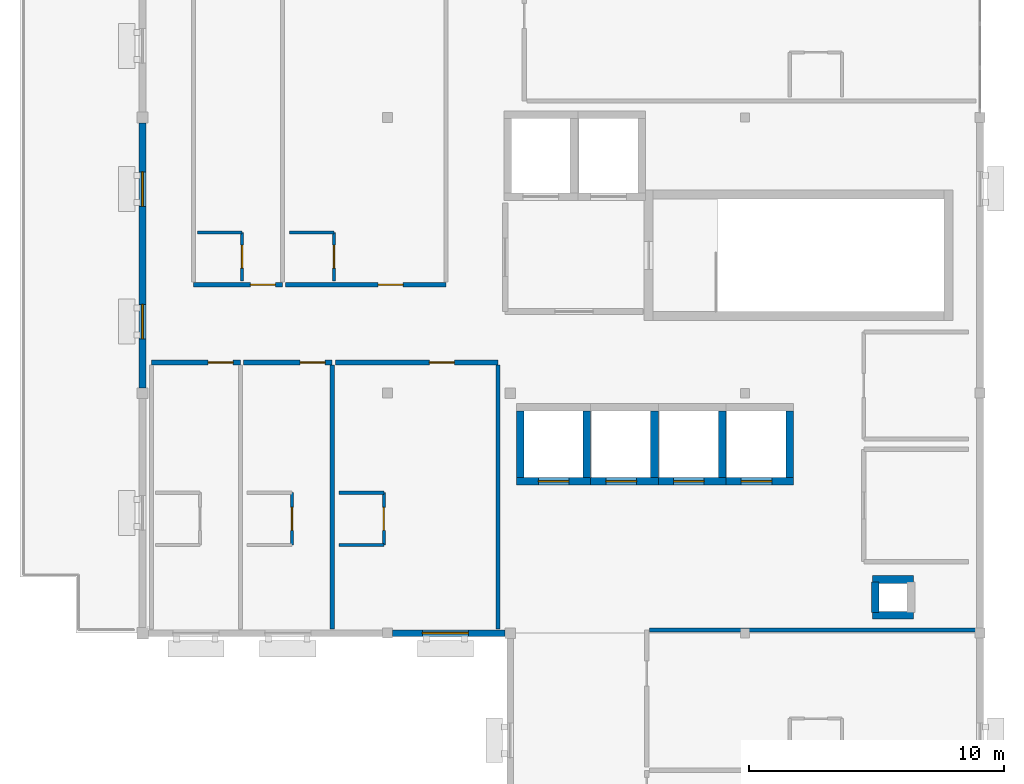
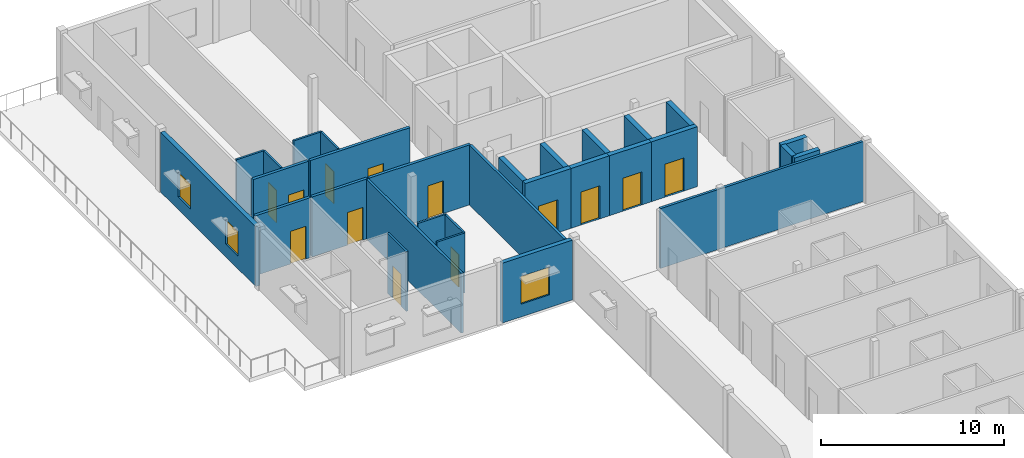
# One storey, part 6 of 9: 30 walls, 13 doors, 3 windows, 16 openings.
"""IFC4 building model written with IfcOpenShell, lengths in metres."""

from ifc_helpers import new_model, si_unit, direction, frame, frame_2d, origin, place, context, subcontext, project, spatial, rectangle, extrude, material, layer, layer_set, type_object, element, fill, save


model = new_model("IFC4")

# Units and contexts
model_context = context("Model", 3, precision=1e-05, world=origin(), true_north=direction((0.0, 1.0)))
body_context = subcontext(model_context, "Body", "Model", "MODEL_VIEW")
ifc_project = project(units=[si_unit("LENGTHUNIT", "METRE"), si_unit("AREAUNIT", "SQUARE_METRE"), si_unit("VOLUMEUNIT", "CUBIC_METRE"), si_unit("PLANEANGLEUNIT", "RADIAN"), si_unit("MASSUNIT", "GRAM", prefix="KILO")], contexts=[model_context])

# Site, building, storey
site_placement = place(None, origin())
site = spatial("IfcSite", under=ifc_project, at=site_placement, CompositionType="ELEMENT")
building_placement = place(site_placement, origin())
building = spatial("IfcBuilding", under=site, at=building_placement, Name="Veldera Park Congress Hotel", CompositionType="ELEMENT")
storey_placement = place(building_placement, frame((0.0, 0.0, 46.60009765625)))
storey = spatial("IfcBuildingStorey", under=building, at=storey_placement, Name="L11", CompositionType="ELEMENT", Elevation=46.60009765625)

# Wall, openings, windows
ifc_material_1 = material(Name="Cross-laminated timber CLT V2M1.1", Category="wood")
ifc_layer_1 = layer(ifc_material_1, 0.264892578125)
ifc_layer_set_1 = layer_set([ifc_layer_1], Name="Cross-laminated timber CLT V2M1.1")
wall_type_1 = type_object("IfcWallType", Name="EW-CLT265", PredefinedType="STANDARD", material=ifc_layer_set_1)
wall_1_placement = place(storey_placement, frame((51.199951171875, 46.991943359375, 0.0), z_axis=(0.0, 0.0, 1.0), x_axis=(0.0, -1.0, 0.0)))
wall_1 = element("IfcWall", 1, at=wall_1_placement, inside=storey, type_object=wall_type_1, Name="L11 Exterior Wall EW3-L11-0462", PredefinedType="STANDARD", context=body_context, shape_type="SweptSolid", body=[
    extrude(rectangle(XDim=10.384033203125, YDim=0.264892578125, at=frame_2d((5.19189453125, 0.0))), origin(), (0.0, 0.0, 1.0), 3.989990234375),
])
opening_1_placement = place(wall_1_placement, frame((1.9208984375, 0.0, 0.85009765625)))
opening_1 = element("IfcOpeningElement", 2, at=opening_1_placement, cuts=wall_1, Name="Opening WIN-1350", PredefinedType="OPENING", context=body_context, shape_type="SweptSolid", body=[
    extrude(rectangle(XDim=1.35009765625, YDim=1.64990234375, at=frame_2d((0.675048828125, 0.824951171875))), frame((0.0, 0.14453125, 0.0), z_axis=(0.0, -1.0, 0.0), x_axis=(1.0, 0.0, 0.0)), (0.0, 0.0, 1.0), 0.288818359375),
])
opening_2_placement = place(wall_1_placement, frame((7.113037109375, 0.0, 0.85009765625)))
opening_2 = element("IfcOpeningElement", 3, at=opening_2_placement, cuts=wall_1, Name="Opening WIN-1350", PredefinedType="OPENING", context=body_context, shape_type="SweptSolid", body=[
    extrude(rectangle(XDim=1.35009765625, YDim=1.64990234375, at=frame_2d((0.675048828125, 0.824951171875))), frame((0.0, 0.14453125, 0.0), z_axis=(0.0, -1.0, 0.0), x_axis=(1.0, 0.0, 0.0)), (0.0, 0.0, 1.0), 0.288818359375),
])
ifc_material_2 = material(Name="Low-E Triple Insulating Glass Unit (SHGC 0.22)", Category="glass")
window_type_1 = type_object("IfcWindowType", Name="WIN-1350", PartitioningType="SINGLE_PANEL", PredefinedType="WINDOW", material=ifc_material_2)
window_1_placement = place(opening_1_placement, origin())
window_1 = element("IfcWindow", 4, at=window_1_placement, inside=storey, type_object=window_type_1, Name="L11 Window WIN-1350 351", OverallHeight=1.64990234375, OverallWidth=1.35009765625, PartitioningType="SINGLE_PANEL", PredefinedType="WINDOW", context=body_context, shape_type="SweptSolid", body=[
    extrude(rectangle(XDim=1.35009765625, YDim=1.64990234375, at=frame_2d((0.675048828125, 0.824951171875))), frame((0.0, 0.030029296875, 0.0), z_axis=(0.0, -1.0, 0.0), x_axis=(1.0, 0.0, 0.0)), (0.0, 0.0, 1.0), 0.06005859375),
])
fill(opening_1, window_1)
window_2_placement = place(opening_2_placement, origin())
window_2 = element("IfcWindow", 5, at=window_2_placement, inside=storey, type_object=window_type_1, Name="L11 Window WIN-1350 352", OverallHeight=1.64990234375, OverallWidth=1.35009765625, PartitioningType="SINGLE_PANEL", PredefinedType="WINDOW", context=body_context, shape_type="SweptSolid", body=[
    extrude(rectangle(XDim=1.35009765625, YDim=1.64990234375, at=frame_2d((0.675048828125, 0.824951171875))), frame((0.0, 0.030029296875, 0.0), z_axis=(0.0, -1.0, 0.0), x_axis=(1.0, 0.0, 0.0)), (0.0, 0.0, 1.0), 0.06005859375),
])
fill(opening_2, window_2)

# Wall, opening, window
wall_2_placement = place(storey_placement, frame((60.992919921875, 27.0, 0.0), z_axis=(0.0, 0.0, 1.0), x_axis=(1.0, 0.0, 0.0)))
wall_2 = element("IfcWall", 6, at=wall_2_placement, inside=storey, type_object=wall_type_1, Name="L11 Exterior Wall EW3-L11-0465", PredefinedType="STANDARD", context=body_context, shape_type="SweptSolid", body=[
    extrude(rectangle(XDim=4.399169921875, YDim=0.264892578125, at=frame_2d((2.19970703125, 0.0))), origin(), (0.0, 0.0, 1.0), 3.989990234375),
])
opening_3_placement = place(wall_2_placement, frame((1.16845703125, 0.0, 0.85009765625)))
opening_3 = element("IfcOpeningElement", 7, at=opening_3_placement, cuts=wall_2, Name="Opening WIN-1800", PredefinedType="OPENING", context=body_context, shape_type="SweptSolid", body=[
    extrude(rectangle(XDim=1.800048828125, YDim=1.85009765625, at=frame_2d((0.89990234375, 0.925048828125))), frame((0.0, 0.14453125, 0.0), z_axis=(0.0, -1.0, 0.0), x_axis=(1.0, 0.0, 0.0)), (0.0, 0.0, 1.0), 0.288818359375),
])
window_type_2 = type_object("IfcWindowType", Name="WIN-1800", PartitioningType="SINGLE_PANEL", PredefinedType="WINDOW", material=ifc_material_2)
window_3_placement = place(opening_3_placement, origin())
window_3 = element("IfcWindow", 8, at=window_3_placement, inside=storey, type_object=window_type_2, Name="L11 Window WIN-1800 604", OverallHeight=1.85009765625, OverallWidth=1.800048828125, PartitioningType="SINGLE_PANEL", PredefinedType="WINDOW", context=body_context, shape_type="SweptSolid", body=[
    extrude(rectangle(XDim=1.800048828125, YDim=1.85009765625, at=frame_2d((0.89990234375, 0.925048828125))), frame((0.0, 0.030029296875, 0.0), z_axis=(0.0, -1.0, 0.0), x_axis=(1.0, 0.0, 0.0)), (0.0, 0.0, 1.0), 0.06005859375),
])
fill(opening_3, window_3)

# Wall, opening, door
ifc_material_3 = material(Name="Fire-Rated Gypsum Board on Cold-Formed Steel Studs", Category="steel")
ifc_layer_2 = layer(ifc_material_3, 0.1201171875)
ifc_layer_set_2 = layer_set([ifc_layer_2], Name="Fire-Rated Gypsum Board on Cold-Formed Steel Studs")
wall_type_2 = type_object("IfcWallType", Name="IW-BATH120", PredefinedType="PARTITIONING", material=ifc_layer_set_2)
wall_3_placement = place(storey_placement, frame((57.050048828125, 30.449951171875, 0.0), z_axis=(0.0, 0.0, 1.0), x_axis=(0.0, 1.0, 0.0)))
wall_3 = element("IfcWall", 9, at=wall_3_placement, inside=storey, type_object=wall_type_2, Name="L11 Partition Wall IW3-L11-01845", PredefinedType="PARTITIONING", context=body_context, shape_type="SweptSolid", body=[
    extrude(rectangle(XDim=2.050048828125, YDim=0.1201171875, at=frame_2d((1.02490234375, 0.0))), origin(), (0.0, 0.0, 1.0), 3.989990234375),
])
opening_4_placement = place(wall_3_placement, frame((0.574951171875, 0.0, 0.0)))
opening_4 = element("IfcOpeningElement", 10, at=opening_4_placement, cuts=wall_3, Name="Opening ID-BATH090", PredefinedType="OPENING", context=body_context, shape_type="SweptSolid", body=[
    extrude(rectangle(XDim=0.89990234375, YDim=2.14990234375, at=frame_2d((0.449951171875, 1.074951171875))), frame((0.0, 0.072021484375, 0.0), z_axis=(0.0, -1.0, 0.0), x_axis=(1.0, 0.0, 0.0)), (0.0, 0.0, 1.0), 0.14404296875),
])
ifc_material_4 = material(Name="Solid Core White Oak Architectural Door", Category="wood")
door_type_1 = type_object("IfcDoorType", Name="ID-BATH090", OperationType="NOTDEFINED", PredefinedType="DOOR", material=ifc_material_4)
door_1_placement = place(opening_4_placement, origin())
door_1 = element("IfcDoor", 11, at=door_1_placement, inside=storey, type_object=door_type_1, Name="L11 En-suite 308 Door ID3-L11-0755 (DR3-ID3-L11-0755)", OperationType="SINGLE_SWING_LEFT", OverallHeight=2.14990234375, OverallWidth=0.89990234375, PredefinedType="DOOR", context=body_context, shape_type="SweptSolid", body=[
    extrude(rectangle(XDim=0.89990234375, YDim=2.14990234375, at=frame_2d((0.449951171875, 1.074951171875))), frame((0.0, 0.02490234375, 0.0), z_axis=(0.0, -1.0, 0.0), x_axis=(1.0, 0.0, 0.0)), (0.0, 0.0, 1.0), 0.050048828125),
])
fill(opening_4, door_1)

# Wall
wall_4_placement = place(storey_placement, frame((58.89990234375, 32.5, 0.0), z_axis=(0.0, 0.0, 1.0), x_axis=(1.0, 0.0, 0.0)))
element("IfcWall", 12, at=wall_4_placement, inside=storey, type_object=wall_type_2, Name="L11 Partition Wall IW3-L11-01849", PredefinedType="PARTITIONING", context=body_context, shape_type="SweptSolid", body=[
    extrude(rectangle(XDim=1.75, YDim=0.1201171875, at=frame_2d((0.875, 0.0))), origin(), (0.0, 0.0, 1.0), 3.989990234375),
])

# Wall, opening, door
wall_5_placement = place(storey_placement, frame((60.64990234375, 30.449951171875, 0.0), z_axis=(0.0, 0.0, 1.0), x_axis=(0.0, 1.0, 0.0)))
wall_5 = element("IfcWall", 13, at=wall_5_placement, inside=storey, type_object=wall_type_2, Name="L11 Partition Wall IW3-L11-01850", PredefinedType="PARTITIONING", context=body_context, shape_type="SweptSolid", body=[
    extrude(rectangle(XDim=2.050048828125, YDim=0.1201171875, at=frame_2d((1.02490234375, 0.0))), origin(), (0.0, 0.0, 1.0), 3.989990234375),
])
opening_5_placement = place(wall_5_placement, frame((0.574951171875, 0.0, 0.0)))
opening_5 = element("IfcOpeningElement", 14, at=opening_5_placement, cuts=wall_5, Name="Opening ID-BATH090", PredefinedType="OPENING", context=body_context, shape_type="SweptSolid", body=[
    extrude(rectangle(XDim=0.89990234375, YDim=2.14990234375, at=frame_2d((0.449951171875, 1.074951171875))), frame((0.0, 0.072021484375, 0.0), z_axis=(0.0, -1.0, 0.0), x_axis=(1.0, 0.0, 0.0)), (0.0, 0.0, 1.0), 0.14404296875),
])
door_2_placement = place(opening_5_placement, origin())
door_2 = element("IfcDoor", 15, at=door_2_placement, inside=storey, type_object=door_type_1, Name="L11 En-suite 309 Door ID3-L11-0757 (DR3-ID3-L11-0757)", OperationType="SINGLE_SWING_LEFT", OverallHeight=2.14990234375, OverallWidth=0.89990234375, PredefinedType="DOOR", context=body_context, shape_type="SweptSolid", body=[
    extrude(rectangle(XDim=0.89990234375, YDim=2.14990234375, at=frame_2d((0.449951171875, 1.074951171875))), frame((0.0, 0.02490234375, 0.0), z_axis=(0.0, -1.0, 0.0), x_axis=(1.0, 0.0, 0.0)), (0.0, 0.0, 1.0), 0.050048828125),
])
fill(opening_5, door_2)

# Wall
wall_6_placement = place(storey_placement, frame((58.89990234375, 30.449951171875, 0.0), z_axis=(0.0, 0.0, 1.0), x_axis=(1.0, 0.0, 0.0)))
element("IfcWall", 16, at=wall_6_placement, inside=storey, type_object=wall_type_2, Name="L11 Partition Wall IW3-L11-01851", PredefinedType="PARTITIONING", context=body_context, shape_type="SweptSolid", body=[
    extrude(rectangle(XDim=1.75, YDim=0.1201171875, at=frame_2d((0.875, 0.0))), origin(), (0.0, 0.0, 1.0), 3.989990234375),
])

# Wall, opening, door
wall_7_placement = place(storey_placement, frame((55.10009765625, 40.800048828125, 0.0), z_axis=(0.0, 0.0, 1.0), x_axis=(0.0, 1.0, 0.0)))
wall_7 = element("IfcWall", 17, at=wall_7_placement, inside=storey, type_object=wall_type_2, Name="L11 Partition Wall IW3-L11-01866", PredefinedType="PARTITIONING", context=body_context, shape_type="SweptSolid", body=[
    extrude(rectangle(XDim=1.89990234375, YDim=0.1201171875, at=frame_2d((0.949951171875, 0.0))), origin(), (0.0, 0.0, 1.0), 3.989990234375),
])
opening_6_placement = place(wall_7_placement, frame((0.5, 0.0, 0.0)))
opening_6 = element("IfcOpeningElement", 18, at=opening_6_placement, cuts=wall_7, Name="Opening ID-BATH090", PredefinedType="OPENING", context=body_context, shape_type="SweptSolid", body=[
    extrude(rectangle(XDim=0.89990234375, YDim=2.14990234375, at=frame_2d((0.449951171875, 1.074951171875))), frame((0.0, 0.072021484375, 0.0), z_axis=(0.0, -1.0, 0.0), x_axis=(1.0, 0.0, 0.0)), (0.0, 0.0, 1.0), 0.14404296875),
])
door_3_placement = place(opening_6_placement, origin())
door_3 = element("IfcDoor", 19, at=door_3_placement, inside=storey, type_object=door_type_1, Name="L11 En-suite 312 Door ID3-L11-0763 (DR3-ID3-L11-0763)", OperationType="SINGLE_SWING_LEFT", OverallHeight=2.14990234375, OverallWidth=0.89990234375, PredefinedType="DOOR", context=body_context, shape_type="SweptSolid", body=[
    extrude(rectangle(XDim=0.89990234375, YDim=2.14990234375, at=frame_2d((0.449951171875, 1.074951171875))), frame((0.0, 0.02490234375, 0.0), z_axis=(0.0, -1.0, 0.0), x_axis=(1.0, 0.0, 0.0)), (0.0, 0.0, 1.0), 0.050048828125),
])
fill(opening_6, door_3)

# Wall
wall_8_placement = place(storey_placement, frame((53.35009765625, 42.699951171875, 0.0), z_axis=(0.0, 0.0, 1.0), x_axis=(1.0, 0.0, 0.0)))
element("IfcWall", 20, at=wall_8_placement, inside=storey, type_object=wall_type_2, Name="L11 Partition Wall IW3-L11-01867", PredefinedType="PARTITIONING", context=body_context, shape_type="SweptSolid", body=[
    extrude(rectangle(XDim=1.75, YDim=0.1201171875, at=frame_2d((0.875, 0.0))), origin(), (0.0, 0.0, 1.0), 3.989990234375),
])

# Wall, opening, door
wall_9_placement = place(storey_placement, frame((58.699951171875, 40.800048828125, 0.0), z_axis=(0.0, 0.0, 1.0), x_axis=(0.0, 1.0, 0.0)))
wall_9 = element("IfcWall", 21, at=wall_9_placement, inside=storey, type_object=wall_type_2, Name="L11 Partition Wall IW3-L11-01870", PredefinedType="PARTITIONING", context=body_context, shape_type="SweptSolid", body=[
    extrude(rectangle(XDim=1.89990234375, YDim=0.1201171875, at=frame_2d((0.949951171875, 0.0))), origin(), (0.0, 0.0, 1.0), 3.989990234375),
])
opening_7_placement = place(wall_9_placement, frame((0.5, 0.0, 0.0)))
opening_7 = element("IfcOpeningElement", 22, at=opening_7_placement, cuts=wall_9, Name="Opening ID-BATH090", PredefinedType="OPENING", context=body_context, shape_type="SweptSolid", body=[
    extrude(rectangle(XDim=0.89990234375, YDim=2.14990234375, at=frame_2d((0.449951171875, 1.074951171875))), frame((0.0, 0.072021484375, 0.0), z_axis=(0.0, -1.0, 0.0), x_axis=(1.0, 0.0, 0.0)), (0.0, 0.0, 1.0), 0.14404296875),
])
door_4_placement = place(opening_7_placement, origin())
door_4 = element("IfcDoor", 23, at=door_4_placement, inside=storey, type_object=door_type_1, Name="L11 En-suite 313 Door ID3-L11-0765 (DR3-ID3-L11-0765)", OperationType="SINGLE_SWING_LEFT", OverallHeight=2.14990234375, OverallWidth=0.89990234375, PredefinedType="DOOR", context=body_context, shape_type="SweptSolid", body=[
    extrude(rectangle(XDim=0.89990234375, YDim=2.14990234375, at=frame_2d((0.449951171875, 1.074951171875))), frame((0.0, 0.02490234375, 0.0), z_axis=(0.0, -1.0, 0.0), x_axis=(1.0, 0.0, 0.0)), (0.0, 0.0, 1.0), 0.050048828125),
])
fill(opening_7, door_4)

# Wall
wall_10_placement = place(storey_placement, frame((56.949951171875, 42.699951171875, 0.0), z_axis=(0.0, 0.0, 1.0), x_axis=(1.0, 0.0, 0.0)))
element("IfcWall", 24, at=wall_10_placement, inside=storey, type_object=wall_type_2, Name="L11 Partition Wall IW3-L11-01871", PredefinedType="PARTITIONING", context=body_context, shape_type="SweptSolid", body=[
    extrude(rectangle(XDim=1.75, YDim=0.1201171875, at=frame_2d((0.875, 0.0))), origin(), (0.0, 0.0, 1.0), 3.989990234375),
])

# Wall, opening, door
ifc_layer_3 = layer(ifc_material_3, 0.179931640625)
ifc_layer_set_3 = layer_set([ifc_layer_3], Name="Fire-Rated Gypsum Board on Cold-Formed Steel Studs")
wall_type_3 = type_object("IfcWallType", Name="IW-CORR180", PredefinedType="PARTITIONING", material=ifc_layer_set_3)
wall_11_placement = place(storey_placement, frame((55.030029296875, 37.60009765625, 0.0), z_axis=(0.0, 0.0, 1.0), x_axis=(-1.0, 0.0, 0.0)))
wall_11 = element("IfcWall", 25, at=wall_11_placement, inside=storey, type_object=wall_type_3, Name="L11 Corridor Wall IW3-L11-01836", PredefinedType="PARTITIONING", context=body_context, shape_type="SweptSolid", body=[
    extrude(rectangle(XDim=3.47998046875, YDim=0.179931640625, at=frame_2d((1.739990234375, 0.0))), origin(), (0.0, 0.0, 1.0), 3.989990234375),
])
opening_8_placement = place(wall_11_placement, frame((0.280029296875, 0.0, 0.0)))
opening_8 = element("IfcOpeningElement", 26, at=opening_8_placement, cuts=wall_11, Name="Opening ID-UNIT098", PredefinedType="OPENING", context=body_context, shape_type="SweptSolid", body=[
    extrude(rectangle(XDim=0.97998046875, YDim=2.179931640625, at=frame_2d((0.489990234375, 1.08984375))), frame((0.0, 0.10205078125, 0.0), z_axis=(0.0, -1.0, 0.0), x_axis=(1.0, 0.0, 0.0)), (0.0, 0.0, 1.0), 0.203857421875),
])
door_type_2 = type_object("IfcDoorType", Name="ID-UNIT098", OperationType="NOTDEFINED", PredefinedType="DOOR", material=ifc_material_4)
door_5_placement = place(opening_8_placement, frame((0.97998046875, 0.0, 0.0), z_axis=(0.0, 0.0, 1.0), x_axis=(-1.0, 0.0, 0.0)))
door_5 = element("IfcDoor", 27, at=door_5_placement, inside=storey, type_object=door_type_2, Name="L11 Guestroom 307 Entry Door (DR3-UD3-L11-307)", OperationType="SINGLE_SWING_RIGHT", OverallHeight=2.179931640625, OverallWidth=0.97998046875, PredefinedType="DOOR", context=body_context, shape_type="SweptSolid", body=[
    extrude(rectangle(XDim=0.97998046875, YDim=2.179931640625, at=frame_2d((0.489990234375, 1.08984375))), frame((0.0, 0.02490234375, 0.0), z_axis=(0.0, -1.0, 0.0), x_axis=(1.0, 0.0, 0.0)), (0.0, 0.0, 1.0), 0.050048828125),
])
fill(opening_8, door_5)

wall_12_placement = place(storey_placement, frame((58.6298828125, 37.60009765625, 0.0), z_axis=(0.0, 0.0, 1.0), x_axis=(-1.0, 0.0, 0.0)))
wall_12 = element("IfcWall", 28, at=wall_12_placement, inside=storey, type_object=wall_type_3, Name="L11 Corridor Wall IW3-L11-01842", PredefinedType="PARTITIONING", context=body_context, shape_type="SweptSolid", body=[
    extrude(rectangle(XDim=3.47998046875, YDim=0.179931640625, at=frame_2d((1.739990234375, 0.0))), origin(), (0.0, 0.0, 1.0), 3.989990234375),
])
opening_9_placement = place(wall_12_placement, frame((0.280029296875, 0.0, 0.0)))
opening_9 = element("IfcOpeningElement", 29, at=opening_9_placement, cuts=wall_12, Name="Opening ID-UNIT098", PredefinedType="OPENING", context=body_context, shape_type="SweptSolid", body=[
    extrude(rectangle(XDim=0.97998046875, YDim=2.179931640625, at=frame_2d((0.489990234375, 1.08984375))), frame((0.0, 0.10205078125, 0.0), z_axis=(0.0, -1.0, 0.0), x_axis=(1.0, 0.0, 0.0)), (0.0, 0.0, 1.0), 0.203857421875),
])
door_6_placement = place(opening_9_placement, frame((0.97998046875, 0.0, 0.0), z_axis=(0.0, 0.0, 1.0), x_axis=(-1.0, 0.0, 0.0)))
door_6 = element("IfcDoor", 30, at=door_6_placement, inside=storey, type_object=door_type_2, Name="L11 Guestroom 308 Entry Door (DR3-UD3-L11-308)", OperationType="SINGLE_SWING_RIGHT", OverallHeight=2.179931640625, OverallWidth=0.97998046875, PredefinedType="DOOR", context=body_context, shape_type="SweptSolid", body=[
    extrude(rectangle(XDim=0.97998046875, YDim=2.179931640625, at=frame_2d((0.489990234375, 1.08984375))), frame((0.0, 0.02490234375, 0.0), z_axis=(0.0, -1.0, 0.0), x_axis=(1.0, 0.0, 0.0)), (0.0, 0.0, 1.0), 0.050048828125),
])
fill(opening_9, door_6)

wall_13_placement = place(storey_placement, frame((65.1298828125, 37.60009765625, 0.0), z_axis=(0.0, 0.0, 1.0), x_axis=(-1.0, 0.0, 0.0)))
wall_13 = element("IfcWall", 31, at=wall_13_placement, inside=storey, type_object=wall_type_3, Name="L11 Corridor Wall IW3-L11-01847", PredefinedType="PARTITIONING", context=body_context, shape_type="SweptSolid", body=[
    extrude(rectangle(XDim=6.3798828125, YDim=0.179931640625, at=frame_2d((3.18994140625, 0.0))), origin(), (0.0, 0.0, 1.0), 3.989990234375),
])
opening_10_placement = place(wall_13_placement, frame((1.719970703125, 0.0, 0.0)))
opening_10 = element("IfcOpeningElement", 32, at=opening_10_placement, cuts=wall_13, Name="Opening ID-UNIT098", PredefinedType="OPENING", context=body_context, shape_type="SweptSolid", body=[
    extrude(rectangle(XDim=0.97998046875, YDim=2.179931640625, at=frame_2d((0.489990234375, 1.08984375))), frame((0.0, 0.10205078125, 0.0), z_axis=(0.0, -1.0, 0.0), x_axis=(1.0, 0.0, 0.0)), (0.0, 0.0, 1.0), 0.203857421875),
])
door_7_placement = place(opening_10_placement, frame((0.97998046875, 0.0, 0.0), z_axis=(0.0, 0.0, 1.0), x_axis=(-1.0, 0.0, 0.0)))
door_7 = element("IfcDoor", 33, at=door_7_placement, inside=storey, type_object=door_type_2, Name="L11 Guestroom 309 Entry Door (DR3-UD3-L11-309)", OperationType="SINGLE_SWING_RIGHT", OverallHeight=2.179931640625, OverallWidth=0.97998046875, PredefinedType="DOOR", context=body_context, shape_type="SweptSolid", body=[
    extrude(rectangle(XDim=0.97998046875, YDim=2.179931640625, at=frame_2d((0.489990234375, 1.08984375))), frame((0.0, 0.02490234375, 0.0), z_axis=(0.0, -1.0, 0.0), x_axis=(1.0, 0.0, 0.0)), (0.0, 0.0, 1.0), 0.050048828125),
])
fill(opening_10, door_7)

wall_14_placement = place(storey_placement, frame((53.199951171875, 40.64990234375, 0.0), z_axis=(0.0, 0.0, 1.0), x_axis=(1.0, 0.0, 0.0)))
wall_14 = element("IfcWall", 34, at=wall_14_placement, inside=storey, type_object=wall_type_3, Name="L11 Corridor Wall IW3-L11-01863", PredefinedType="PARTITIONING", context=body_context, shape_type="SweptSolid", body=[
    extrude(rectangle(XDim=3.47998046875, YDim=0.179931640625, at=frame_2d((1.739990234375, 0.0))), origin(), (0.0, 0.0, 1.0), 3.989990234375),
])
opening_11_placement = place(wall_14_placement, frame((2.219970703125, 0.0, 0.0)))
opening_11 = element("IfcOpeningElement", 35, at=opening_11_placement, cuts=wall_14, Name="Opening ID-UNIT098", PredefinedType="OPENING", context=body_context, shape_type="SweptSolid", body=[
    extrude(rectangle(XDim=0.97998046875, YDim=2.179931640625, at=frame_2d((0.489990234375, 1.08984375))), frame((0.0, 0.10205078125, 0.0), z_axis=(0.0, -1.0, 0.0), x_axis=(1.0, 0.0, 0.0)), (0.0, 0.0, 1.0), 0.203857421875),
])
door_8_placement = place(opening_11_placement, frame((0.97998046875, 0.0, 0.0), z_axis=(0.0, 0.0, 1.0), x_axis=(-1.0, 0.0, 0.0)))
door_8 = element("IfcDoor", 36, at=door_8_placement, inside=storey, type_object=door_type_2, Name="L11 Guestroom 312 Entry Door (DR3-UD3-L11-312)", OperationType="SINGLE_SWING_RIGHT", OverallHeight=2.179931640625, OverallWidth=0.97998046875, PredefinedType="DOOR", context=body_context, shape_type="SweptSolid", body=[
    extrude(rectangle(XDim=0.97998046875, YDim=2.179931640625, at=frame_2d((0.489990234375, 1.08984375))), frame((0.0, 0.02490234375, 0.0), z_axis=(0.0, -1.0, 0.0), x_axis=(1.0, 0.0, 0.0)), (0.0, 0.0, 1.0), 0.050048828125),
])
fill(opening_11, door_8)

wall_15_placement = place(storey_placement, frame((56.800048828125, 40.64990234375, 0.0), z_axis=(0.0, 0.0, 1.0), x_axis=(1.0, 0.0, 0.0)))
wall_15 = element("IfcWall", 37, at=wall_15_placement, inside=storey, type_object=wall_type_3, Name="L11 Corridor Wall IW3-L11-01868", PredefinedType="PARTITIONING", context=body_context, shape_type="SweptSolid", body=[
    extrude(rectangle(XDim=6.280029296875, YDim=0.179931640625, at=frame_2d((3.14013671875, 0.0))), origin(), (0.0, 0.0, 1.0), 3.989990234375),
])
opening_12_placement = place(wall_15_placement, frame((3.6298828125, 0.0, 0.0)))
opening_12 = element("IfcOpeningElement", 38, at=opening_12_placement, cuts=wall_15, Name="Opening ID-UNIT098", PredefinedType="OPENING", context=body_context, shape_type="SweptSolid", body=[
    extrude(rectangle(XDim=0.97998046875, YDim=2.179931640625, at=frame_2d((0.489990234375, 1.08984375))), frame((0.0, 0.10205078125, 0.0), z_axis=(0.0, -1.0, 0.0), x_axis=(1.0, 0.0, 0.0)), (0.0, 0.0, 1.0), 0.203857421875),
])
door_9_placement = place(opening_12_placement, frame((0.97998046875, 0.0, 0.0), z_axis=(0.0, 0.0, 1.0), x_axis=(-1.0, 0.0, 0.0)))
door_9 = element("IfcDoor", 39, at=door_9_placement, inside=storey, type_object=door_type_2, Name="L11 Guestroom 313 Entry Door (DR3-UD3-L11-313)", OperationType="SINGLE_SWING_RIGHT", OverallHeight=2.179931640625, OverallWidth=0.97998046875, PredefinedType="DOOR", context=body_context, shape_type="SweptSolid", body=[
    extrude(rectangle(XDim=0.97998046875, YDim=2.179931640625, at=frame_2d((0.489990234375, 1.08984375))), frame((0.0, 0.02490234375, 0.0), z_axis=(0.0, -1.0, 0.0), x_axis=(1.0, 0.0, 0.0)), (0.0, 0.0, 1.0), 0.050048828125),
])
fill(opening_12, door_9)

# Walls
ifc_layer_4 = layer(ifc_material_1, 0.159912109375)
ifc_layer_set_4 = layer_set([ifc_layer_4], Name="Cross-laminated timber CLT V2M1.1")
wall_type_4 = type_object("IfcWallType", Name="IW-UNIT160", PredefinedType="PARTITIONING", material=ifc_layer_set_4)
wall_16_placement = place(storey_placement, frame((71.050048828125, 27.1298828125, 0.0), z_axis=(0.0, 0.0, 1.0), x_axis=(1.0, 0.0, 0.0)))
element("IfcWall", 40, at=wall_16_placement, inside=storey, type_object=wall_type_4, Name="L11 Partition Wall IW3-L11-01832", PredefinedType="PARTITIONING", context=body_context, shape_type="SweptSolid", body=[
    extrude(rectangle(XDim=12.7900390625, YDim=0.159912109375, at=frame_2d((6.39501953125, 0.0))), origin(), (0.0, 0.0, 1.0), 3.989990234375),
])
for number, where, z_axis, x_axis, name in (
    (41, (58.6298828125, 27.159912109375, 0.0), (0.0, 0.0, 1.0), (0.0, 1.0, 0.0), "L11 Partition Wall IW3-L11-01843"),
    (42, (65.1298828125, 27.159912109375, 0.0), (0.0, 0.0, 1.0), (0.0, 1.0, 0.0), "L11 Partition Wall IW3-L11-01848"),
):
    element("IfcWall", number, at=place(storey_placement, frame(where, z_axis=z_axis, x_axis=x_axis)), inside=storey, type_object=wall_type_4, Name=name, PredefinedType="PARTITIONING", context=body_context, shape_type="SweptSolid", body=[
        extrude(rectangle(XDim=10.340087890625, YDim=0.159912109375, at=frame_2d((5.169921875, 0.0))), origin(), (0.0, 0.0, 1.0), 3.989990234375),
    ])
ifc_material_5 = material(Name="Concrete f'c 40 MPa (5,800 psi)", Category="concrete")
ifc_layer_5 = layer(ifc_material_5, 0.300048828125)
ifc_layer_set_5 = layer_set([ifc_layer_5], Name="Concrete f'c 40 MPa (5,800 psi)")
wall_type_5 = type_object("IfcWallType", Name="SW-SHFT300", PredefinedType="SHEAR", material=ifc_layer_set_5)
for number, where, z_axis, x_axis, name in (
    (43, (79.800048828125, 27.699951171875, 0.0), (0.0, 0.0, 1.0), (1.0, 0.0, 0.0), "MEP Riser Shaft Wall L11-S"),
    (44, (81.39990234375, 29.10009765625, 0.0), (0.0, 0.0, 1.0), (-1.0, 0.0, 0.0), "MEP Riser Shaft Wall L11-N"),
):
    element("IfcWall", number, at=place(storey_placement, frame(where, z_axis=z_axis, x_axis=x_axis)), inside=storey, type_object=wall_type_5, Name=name, PredefinedType="SHEAR", context=body_context, shape_type="SweptSolid", body=[
        extrude(rectangle(XDim=1.599853515625, YDim=0.300048828125, at=frame_2d((0.7998046875, 0.0))), origin(), (0.0, 0.0, 1.0), 3.989990234375),
    ])
wall_17_placement = place(storey_placement, frame((79.89990234375, 29.0, 0.0), z_axis=(0.0, 0.0, 1.0), x_axis=(0.0, -1.0, 0.0)))
element("IfcWall", 45, at=wall_17_placement, inside=storey, type_object=wall_type_5, Name="MEP Riser Shaft Wall L11-W", PredefinedType="SHEAR", context=body_context, shape_type="SweptSolid", body=[
    extrude(rectangle(XDim=1.199951171875, YDim=0.300048828125, at=frame_2d((0.60009765625, 0.0))), origin(), (0.0, 0.0, 1.0), 3.989990234375),
])

# Wall, opening, door
wall_18_placement = place(storey_placement, frame((65.85009765625, 32.949951171875, 0.0), z_axis=(0.0, 0.0, 1.0), x_axis=(1.0, 0.0, 0.0)))
wall_18 = element("IfcWall", 46, at=wall_18_placement, inside=storey, type_object=wall_type_5, Name="Lift PL-01 Shaft Wall L11-S", PredefinedType="SHEAR", context=body_context, shape_type="SweptSolid", body=[
    extrude(rectangle(XDim=2.89990234375, YDim=0.300048828125, at=frame_2d((1.449951171875, 0.0))), origin(), (0.0, 0.0, 1.0), 3.989990234375),
])
opening_13_placement = place(wall_18_placement, frame((0.85009765625, 0.0, 0.0)))
opening_13 = element("IfcOpeningElement", 47, at=opening_13_placement, cuts=wall_18, Name="Opening LD-120", PredefinedType="OPENING", context=body_context, shape_type="SweptSolid", body=[
    extrude(rectangle(XDim=1.199951171875, YDim=2.199951171875, at=frame_2d((0.60009765625, 1.10009765625))), frame((0.0, 0.162109375, 0.0), z_axis=(0.0, -1.0, 0.0), x_axis=(1.0, 0.0, 0.0)), (0.0, 0.0, 1.0), 0.323974609375),
])
ifc_material_6 = material(Name="Hollow Metal Fire-Rated Steel Door", Category="steel")
door_type_3 = type_object("IfcDoorType", Name="LD-120", OperationType="DOUBLE_DOOR_SLIDING", PredefinedType="DOOR", material=ifc_material_6)
door_10_placement = place(opening_13_placement, origin())
door_10 = element("IfcDoor", 48, at=door_10_placement, inside=storey, type_object=door_type_3, Name="L11 Lift PL-01 Landing Door (DR3-LD-PL-01-L11)", OperationType="DOUBLE_DOOR_SLIDING", OverallHeight=2.199951171875, OverallWidth=1.199951171875, PredefinedType="DOOR", context=body_context, shape_type="SweptSolid", body=[
    extrude(rectangle(XDim=1.199951171875, YDim=2.199951171875, at=frame_2d((0.60009765625, 1.10009765625))), frame((0.0, 0.02490234375, 0.0), z_axis=(0.0, -1.0, 0.0), x_axis=(1.0, 0.0, 0.0)), (0.0, 0.0, 1.0), 0.050048828125),
])
fill(opening_13, door_10)

# Walls
for number, where, z_axis, x_axis, name in (
    (49, (68.60009765625, 33.10009765625, 0.0), (0.0, 0.0, 1.0), (0.0, 1.0, 0.0), "Lift PL-01 Shaft Wall L11-E"),
    (50, (66.0, 35.699951171875, 0.0), (0.0, 0.0, 1.0), (0.0, -1.0, 0.0), "Lift PL-01 Shaft Wall L11-W"),
):
    element("IfcWall", number, at=place(storey_placement, frame(where, z_axis=z_axis, x_axis=x_axis)), inside=storey, type_object=wall_type_5, Name=name, PredefinedType="SHEAR", context=body_context, shape_type="SweptSolid", body=[
        extrude(rectangle(XDim=2.599853515625, YDim=0.300048828125, at=frame_2d((1.2998046875, 0.0))), origin(), (0.0, 0.0, 1.0), 3.989990234375),
    ])

# Wall, opening, door
wall_19_placement = place(storey_placement, frame((68.5, 32.949951171875, 0.0), z_axis=(0.0, 0.0, 1.0), x_axis=(1.0, 0.0, 0.0)))
wall_19 = element("IfcWall", 51, at=wall_19_placement, inside=storey, type_object=wall_type_5, Name="Lift PL-02 Shaft Wall L11-S", PredefinedType="SHEAR", context=body_context, shape_type="SweptSolid", body=[
    extrude(rectangle(XDim=2.89990234375, YDim=0.300048828125, at=frame_2d((1.449951171875, 0.0))), origin(), (0.0, 0.0, 1.0), 3.989990234375),
])
opening_14_placement = place(wall_19_placement, frame((0.85009765625, 0.0, 0.0)))
opening_14 = element("IfcOpeningElement", 52, at=opening_14_placement, cuts=wall_19, Name="Opening LD-120", PredefinedType="OPENING", context=body_context, shape_type="SweptSolid", body=[
    extrude(rectangle(XDim=1.199951171875, YDim=2.199951171875, at=frame_2d((0.60009765625, 1.10009765625))), frame((0.0, 0.162109375, 0.0), z_axis=(0.0, -1.0, 0.0), x_axis=(1.0, 0.0, 0.0)), (0.0, 0.0, 1.0), 0.323974609375),
])
door_11_placement = place(opening_14_placement, origin())
door_11 = element("IfcDoor", 53, at=door_11_placement, inside=storey, type_object=door_type_3, Name="L11 Lift PL-02 Landing Door (DR3-LD-PL-02-L11)", OperationType="DOUBLE_DOOR_SLIDING", OverallHeight=2.199951171875, OverallWidth=1.199951171875, PredefinedType="DOOR", context=body_context, shape_type="SweptSolid", body=[
    extrude(rectangle(XDim=1.199951171875, YDim=2.199951171875, at=frame_2d((0.60009765625, 1.10009765625))), frame((0.0, 0.02490234375, 0.0), z_axis=(0.0, -1.0, 0.0), x_axis=(1.0, 0.0, 0.0)), (0.0, 0.0, 1.0), 0.050048828125),
])
fill(opening_14, door_11)

# Wall
wall_20_placement = place(storey_placement, frame((71.25, 33.10009765625, 0.0), z_axis=(0.0, 0.0, 1.0), x_axis=(0.0, 1.0, 0.0)))
element("IfcWall", 54, at=wall_20_placement, inside=storey, type_object=wall_type_5, Name="Lift PL-02 Shaft Wall L11-E", PredefinedType="SHEAR", context=body_context, shape_type="SweptSolid", body=[
    extrude(rectangle(XDim=2.599853515625, YDim=0.300048828125, at=frame_2d((1.2998046875, 0.0))), origin(), (0.0, 0.0, 1.0), 3.989990234375),
])

# Wall, opening, door
wall_21_placement = place(storey_placement, frame((71.14990234375, 32.949951171875, 0.0), z_axis=(0.0, 0.0, 1.0), x_axis=(1.0, 0.0, 0.0)))
wall_21 = element("IfcWall", 55, at=wall_21_placement, inside=storey, type_object=wall_type_5, Name="Lift PL-03 Shaft Wall L11-S", PredefinedType="SHEAR", context=body_context, shape_type="SweptSolid", body=[
    extrude(rectangle(XDim=2.900146484375, YDim=0.300048828125, at=frame_2d((1.4501953125, 0.0))), origin(), (0.0, 0.0, 1.0), 3.989990234375),
])
opening_15_placement = place(wall_21_placement, frame((0.85009765625, 0.0, 0.0)))
opening_15 = element("IfcOpeningElement", 56, at=opening_15_placement, cuts=wall_21, Name="Opening LD-120", PredefinedType="OPENING", context=body_context, shape_type="SweptSolid", body=[
    extrude(rectangle(XDim=1.199951171875, YDim=2.199951171875, at=frame_2d((0.60009765625, 1.10009765625))), frame((0.0, 0.162109375, 0.0), z_axis=(0.0, -1.0, 0.0), x_axis=(1.0, 0.0, 0.0)), (0.0, 0.0, 1.0), 0.323974609375),
])
door_12_placement = place(opening_15_placement, origin())
door_12 = element("IfcDoor", 57, at=door_12_placement, inside=storey, type_object=door_type_3, Name="L11 Lift PL-03 Landing Door (DR3-LD-PL-03-L11)", OperationType="DOUBLE_DOOR_SLIDING", OverallHeight=2.199951171875, OverallWidth=1.199951171875, PredefinedType="DOOR", context=body_context, shape_type="SweptSolid", body=[
    extrude(rectangle(XDim=1.199951171875, YDim=2.199951171875, at=frame_2d((0.60009765625, 1.10009765625))), frame((0.0, 0.02490234375, 0.0), z_axis=(0.0, -1.0, 0.0), x_axis=(1.0, 0.0, 0.0)), (0.0, 0.0, 1.0), 0.050048828125),
])
fill(opening_15, door_12)

# Wall
wall_22_placement = place(storey_placement, frame((73.89990234375, 33.10009765625, 0.0), z_axis=(0.0, 0.0, 1.0), x_axis=(0.0, 1.0, 0.0)))
element("IfcWall", 58, at=wall_22_placement, inside=storey, type_object=wall_type_5, Name="Lift PL-03 Shaft Wall L11-E", PredefinedType="SHEAR", context=body_context, shape_type="SweptSolid", body=[
    extrude(rectangle(XDim=2.599853515625, YDim=0.300048828125, at=frame_2d((1.2998046875, 0.0))), origin(), (0.0, 0.0, 1.0), 3.989990234375),
])

# Wall, opening, door
wall_23_placement = place(storey_placement, frame((73.800048828125, 32.949951171875, 0.0), z_axis=(0.0, 0.0, 1.0), x_axis=(1.0, 0.0, 0.0)))
wall_23 = element("IfcWall", 59, at=wall_23_placement, inside=storey, type_object=wall_type_5, Name="Lift PL-04 Shaft Wall L11-S", PredefinedType="SHEAR", context=body_context, shape_type="SweptSolid", body=[
    extrude(rectangle(XDim=2.89990234375, YDim=0.300048828125, at=frame_2d((1.449951171875, 0.0))), origin(), (0.0, 0.0, 1.0), 3.989990234375),
])
opening_16_placement = place(wall_23_placement, frame((0.85009765625, 0.0, 0.0)))
opening_16 = element("IfcOpeningElement", 60, at=opening_16_placement, cuts=wall_23, Name="Opening LD-120", PredefinedType="OPENING", context=body_context, shape_type="SweptSolid", body=[
    extrude(rectangle(XDim=1.199951171875, YDim=2.199951171875, at=frame_2d((0.60009765625, 1.10009765625))), frame((0.0, 0.162109375, 0.0), z_axis=(0.0, -1.0, 0.0), x_axis=(1.0, 0.0, 0.0)), (0.0, 0.0, 1.0), 0.323974609375),
])
door_13_placement = place(opening_16_placement, origin())
door_13 = element("IfcDoor", 61, at=door_13_placement, inside=storey, type_object=door_type_3, Name="L11 Lift PL-04 Landing Door (DR3-LD-PL-04-L11)", OperationType="DOUBLE_DOOR_SLIDING", OverallHeight=2.199951171875, OverallWidth=1.199951171875, PredefinedType="DOOR", context=body_context, shape_type="SweptSolid", body=[
    extrude(rectangle(XDim=1.199951171875, YDim=2.199951171875, at=frame_2d((0.60009765625, 1.10009765625))), frame((0.0, 0.02490234375, 0.0), z_axis=(0.0, -1.0, 0.0), x_axis=(1.0, 0.0, 0.0)), (0.0, 0.0, 1.0), 0.050048828125),
])
fill(opening_16, door_13)

# Wall
wall_24_placement = place(storey_placement, frame((76.550048828125, 33.10009765625, 0.0), z_axis=(0.0, 0.0, 1.0), x_axis=(0.0, 1.0, 0.0)))
element("IfcWall", 62, at=wall_24_placement, inside=storey, type_object=wall_type_5, Name="Lift PL-04 Shaft Wall L11-E", PredefinedType="SHEAR", context=body_context, shape_type="SweptSolid", body=[
    extrude(rectangle(XDim=2.599853515625, YDim=0.300048828125, at=frame_2d((1.2998046875, 0.0))), origin(), (0.0, 0.0, 1.0), 3.989990234375),
])

save(model, "model.ifc")
